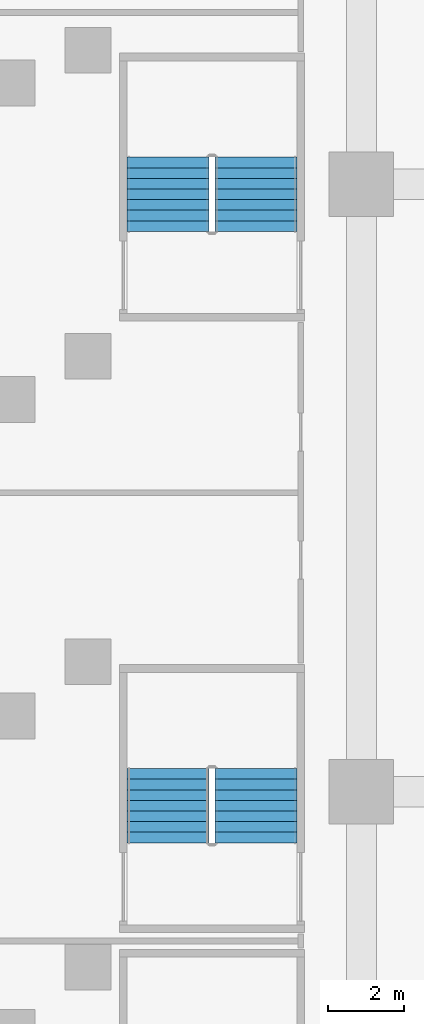
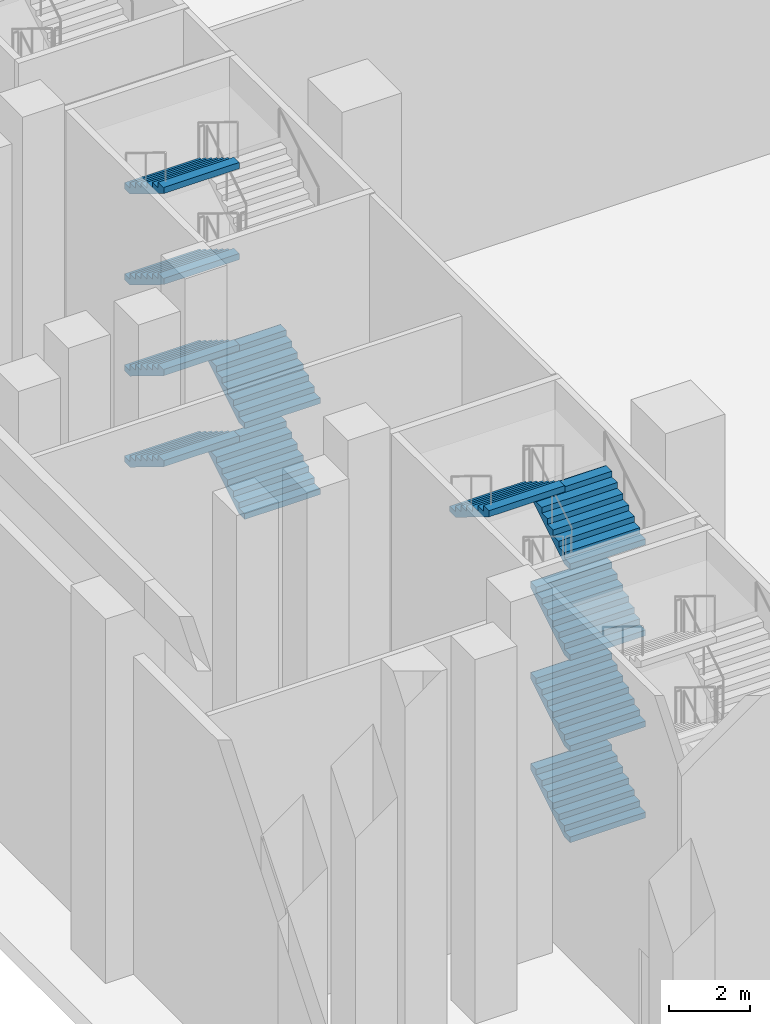
# One storey, part 14 of 31: 11 stair flights, 2 elements without a shape of their own.
"""IFC4 building model written with IfcOpenShell, lengths in metres."""

from ifc_helpers import new_model, si_unit, direction, frame, origin, place, context, subcontext, project, spatial, faceted_brep, source, transform, mapped, material, type_object, element, aggregate, save


model = new_model("IFC4")

# Units and contexts
model_context = context("Model", 3, precision=1e-05, world=origin(), true_north=direction((0.0, 1.0)))
body_context = subcontext(model_context, "Body", "Model", "MODEL_VIEW")
ifc_project = project(units=[si_unit("LENGTHUNIT", "METRE"), si_unit("AREAUNIT", "SQUARE_METRE"), si_unit("VOLUMEUNIT", "CUBIC_METRE"), si_unit("PLANEANGLEUNIT", "RADIAN"), si_unit("MASSUNIT", "GRAM", prefix="KILO")], contexts=[model_context])

# Site, building, storey
site_placement = place(None, origin())
site = spatial("IfcSite", under=ifc_project, at=site_placement, CompositionType="ELEMENT")
building_placement = place(site_placement, origin())
building = spatial("IfcBuilding", under=site, at=building_placement, Name="Calabash Gate Tower", CompositionType="ELEMENT")
storey_placement = place(building_placement, frame((0.0, 0.0, 9.0)))
storey = spatial("IfcBuildingStorey", under=building, at=storey_placement, Name="L01", CompositionType="ELEMENT", Elevation=9.0)

# Stair, stair flights
ifc_material_1 = material(Name="Concrete C40/50", Category="concrete")
stair_type = type_object("IfcStairType", Name="Public stair 64 risers of 171.9 mm", PredefinedType="HALF_TURN_STAIR", material=ifc_material_1)
stair_1_placement = place(storey_placement, origin())
stair_1 = element("IfcStair", 1, at=stair_1_placement, inside=storey, type_object=stair_type, Name="L01 Public Stair PS2", PredefinedType="HALF_TURN_STAIR")
ifc_material_2 = material(Name="Concrete C40/50", Category="concrete")
stair_flight_type = type_object("IfcStairFlightType", Name="Exit stair flight SFL", PredefinedType="STRAIGHT", material=ifc_material_2)
shared_shape = source(origin(), body_context, "Body", "Brep", [
    faceted_brep([(-0.0009765625, -1.080078125, 0.0), (0.285888671875, -1.080078125, 0.0), (1.9541015625, -1.080078125, 1.027099609375), (-0.0009765625, 1.080078125, 0.0), (1.9541015625, 1.080078125, 1.027099609375), (0.285888671875, 1.080078125, 0.0), (1.9541015625, -1.080078125, 1.215087890625), (1.952880859375, -1.080078125, 1.215087890625), (1.952880859375, 1.080078125, 1.215087890625), (1.9541015625, 1.080078125, 1.215087890625), (1.952880859375, -1.080078125, 1.203125), (1.952880859375, 1.080078125, 1.203125), (1.674072265625, -1.080078125, 1.203125), (1.674072265625, 1.080078125, 1.203125), (1.674072265625, -1.080078125, 1.03125), (1.674072265625, 1.080078125, 1.03125), (1.39501953125, -1.080078125, 1.03125), (1.39501953125, 1.080078125, 1.03125), (1.39501953125, -1.080078125, 0.859375), (1.39501953125, 1.080078125, 0.859375), (1.115966796875, -1.080078125, 0.859375), (1.115966796875, -1.080078125, 0.6875), (1.115966796875, 1.080078125, 0.6875), (1.115966796875, 1.080078125, 0.859375), (0.8369140625, -1.080078125, 0.6875), (0.8369140625, -1.080078125, 0.515625), (0.8369140625, 1.080078125, 0.515625), (0.8369140625, 1.080078125, 0.6875), (0.55810546875, -1.080078125, 0.515625), (0.55810546875, -1.080078125, 0.34375), (0.55810546875, 1.080078125, 0.34375), (0.55810546875, 1.080078125, 0.515625), (0.279052734375, -1.080078125, 0.34375), (0.279052734375, -1.080078125, 0.171875), (0.279052734375, 1.080078125, 0.171875), (0.279052734375, 1.080078125, 0.34375), (-0.0009765625, -1.080078125, 0.171875), (-0.0009765625, 1.080078125, 0.171875), (0.285888671875, -0.431884765625, 0.0), (1.9541015625, -0.431884765625, 1.027099609375), (0.285888671875, -0.370361328125, 0.0), (1.9541015625, -0.370361328125, 1.027099609375), (0.285888671875, -0.30859375, 0.0), (1.9541015625, -0.30859375, 1.027099609375), (0.285888671875, -0.246826171875, 0.0), (1.9541015625, -0.246826171875, 1.027099609375), (0.285888671875, -0.18505859375, 0.0), (1.9541015625, -0.18505859375, 1.027099609375), (0.285888671875, -0.12353515625, 0.0), (1.9541015625, -0.12353515625, 1.027099609375), (0.285888671875, -0.061767578125, 0.0), (1.9541015625, -0.061767578125, 1.027099609375), (0.285888671875, 0.0, 0.0), (1.9541015625, 0.0, 1.027099609375), (0.285888671875, 0.061767578125, 0.0), (1.9541015625, 0.061767578125, 1.027099609375), (0.285888671875, 0.12353515625, 0.0), (1.9541015625, 0.12353515625, 1.027099609375), (0.285888671875, 0.18505859375, 0.0), (1.9541015625, 0.18505859375, 1.027099609375), (0.285888671875, 0.246826171875, 0.0), (1.9541015625, 0.246826171875, 1.027099609375), (0.285888671875, 0.30859375, 0.0), (1.9541015625, 0.30859375, 1.027099609375), (0.285888671875, 0.370361328125, 0.0), (1.9541015625, 0.370361328125, 1.027099609375), (0.285888671875, 0.431884765625, 0.0), (1.9541015625, 0.431884765625, 1.027099609375), (1.9541015625, -0.431884765625, 1.215087890625), (1.9541015625, -0.370361328125, 1.215087890625), (1.9541015625, -0.30859375, 1.215087890625), (1.9541015625, -0.246826171875, 1.215087890625), (1.9541015625, -0.18505859375, 1.215087890625), (1.9541015625, -0.12353515625, 1.215087890625), (1.9541015625, -0.061767578125, 1.215087890625), (1.9541015625, 0.0, 1.215087890625), (1.9541015625, 0.061767578125, 1.215087890625), (1.9541015625, 0.12353515625, 1.215087890625), (1.9541015625, 0.18505859375, 1.215087890625), (1.9541015625, 0.246826171875, 1.215087890625), (1.9541015625, 0.30859375, 1.215087890625), (1.9541015625, 0.370361328125, 1.215087890625), (1.9541015625, 0.431884765625, 1.215087890625), (1.952880859375, -0.431884765625, 1.215087890625), (1.952880859375, -0.370361328125, 1.215087890625), (1.952880859375, -0.30859375, 1.215087890625), (1.952880859375, -0.246826171875, 1.215087890625), (1.952880859375, -0.18505859375, 1.215087890625), (1.952880859375, -0.12353515625, 1.215087890625), (1.952880859375, -0.061767578125, 1.215087890625), (1.952880859375, 0.0, 1.215087890625), (1.952880859375, 0.061767578125, 1.215087890625), (1.952880859375, 0.12353515625, 1.215087890625), (1.952880859375, 0.18505859375, 1.215087890625), (1.952880859375, 0.246826171875, 1.215087890625), (1.952880859375, 0.30859375, 1.215087890625), (1.952880859375, 0.370361328125, 1.215087890625), (1.952880859375, 0.431884765625, 1.215087890625), (1.952880859375, -0.431884765625, 1.203125), (1.952880859375, -0.370361328125, 1.203125), (1.952880859375, -0.30859375, 1.203125), (1.952880859375, -0.246826171875, 1.203125), (1.952880859375, -0.18505859375, 1.203125), (1.952880859375, -0.12353515625, 1.203125), (1.952880859375, -0.061767578125, 1.203125), (1.952880859375, 0.0, 1.203125), (1.952880859375, 0.061767578125, 1.203125), (1.952880859375, 0.12353515625, 1.203125), (1.952880859375, 0.18505859375, 1.203125), (1.952880859375, 0.246826171875, 1.203125), (1.952880859375, 0.30859375, 1.203125), (1.952880859375, 0.370361328125, 1.203125), (1.952880859375, 0.431884765625, 1.203125), (1.674072265625, -0.431884765625, 1.203125), (1.674072265625, -0.370361328125, 1.203125), (1.674072265625, -0.30859375, 1.203125), (1.674072265625, -0.246826171875, 1.203125), (1.674072265625, -0.18505859375, 1.203125), (1.674072265625, -0.12353515625, 1.203125), (1.674072265625, -0.061767578125, 1.203125), (1.674072265625, 0.0, 1.203125), (1.674072265625, 0.061767578125, 1.203125), (1.674072265625, 0.12353515625, 1.203125), (1.674072265625, 0.18505859375, 1.203125), (1.674072265625, 0.246826171875, 1.203125), (1.674072265625, 0.30859375, 1.203125), (1.674072265625, 0.370361328125, 1.203125), (1.674072265625, 0.431884765625, 1.203125), (1.674072265625, -0.431884765625, 1.03125), (1.674072265625, -0.370361328125, 1.03125), (1.674072265625, -0.30859375, 1.03125), (1.674072265625, -0.246826171875, 1.03125), (1.674072265625, -0.18505859375, 1.03125), (1.674072265625, -0.12353515625, 1.03125), (1.674072265625, -0.061767578125, 1.03125), (1.674072265625, 0.0, 1.03125), (1.674072265625, 0.061767578125, 1.03125), (1.674072265625, 0.12353515625, 1.03125), (1.674072265625, 0.18505859375, 1.03125), (1.674072265625, 0.246826171875, 1.03125), (1.674072265625, 0.30859375, 1.03125), (1.674072265625, 0.370361328125, 1.03125), (1.674072265625, 0.431884765625, 1.03125), (1.39501953125, -0.431884765625, 1.03125), (1.39501953125, -0.370361328125, 1.03125), (1.39501953125, -0.30859375, 1.03125), (1.39501953125, -0.246826171875, 1.03125), (1.39501953125, -0.18505859375, 1.03125), (1.39501953125, -0.12353515625, 1.03125), (1.39501953125, -0.061767578125, 1.03125), (1.39501953125, 0.0, 1.03125), (1.39501953125, 0.061767578125, 1.03125), (1.39501953125, 0.12353515625, 1.03125), (1.39501953125, 0.18505859375, 1.03125), (1.39501953125, 0.246826171875, 1.03125), (1.39501953125, 0.30859375, 1.03125), (1.39501953125, 0.370361328125, 1.03125), (1.39501953125, 0.431884765625, 1.03125), (1.39501953125, -0.431884765625, 0.859375), (1.39501953125, -0.370361328125, 0.859375), (1.39501953125, -0.30859375, 0.859375), (1.39501953125, -0.246826171875, 0.859375), (1.39501953125, -0.18505859375, 0.859375), (1.39501953125, -0.12353515625, 0.859375), (1.39501953125, -0.061767578125, 0.859375), (1.39501953125, 0.0, 0.859375), (1.39501953125, 0.061767578125, 0.859375), (1.39501953125, 0.12353515625, 0.859375), (1.39501953125, 0.18505859375, 0.859375), (1.39501953125, 0.246826171875, 0.859375), (1.39501953125, 0.30859375, 0.859375), (1.39501953125, 0.370361328125, 0.859375), (1.39501953125, 0.431884765625, 0.859375), (1.115966796875, -0.431884765625, 0.859375), (1.115966796875, -0.370361328125, 0.859375), (1.115966796875, -0.30859375, 0.859375), (1.115966796875, -0.246826171875, 0.859375), (1.115966796875, -0.18505859375, 0.859375), (1.115966796875, -0.12353515625, 0.859375), (1.115966796875, -0.061767578125, 0.859375), (1.115966796875, 0.0, 0.859375), (1.115966796875, 0.061767578125, 0.859375), (1.115966796875, 0.12353515625, 0.859375), (1.115966796875, 0.18505859375, 0.859375), (1.115966796875, 0.246826171875, 0.859375), (1.115966796875, 0.30859375, 0.859375), (1.115966796875, 0.370361328125, 0.859375), (1.115966796875, 0.431884765625, 0.859375), (1.115966796875, -0.431884765625, 0.6875), (1.115966796875, -0.370361328125, 0.6875), (1.115966796875, -0.30859375, 0.6875), (1.115966796875, -0.246826171875, 0.6875), (1.115966796875, -0.18505859375, 0.6875), (1.115966796875, -0.12353515625, 0.6875), (1.115966796875, -0.061767578125, 0.6875), (1.115966796875, 0.0, 0.6875), (1.115966796875, 0.061767578125, 0.6875), (1.115966796875, 0.12353515625, 0.6875), (1.115966796875, 0.18505859375, 0.6875), (1.115966796875, 0.246826171875, 0.6875), (1.115966796875, 0.30859375, 0.6875), (1.115966796875, 0.370361328125, 0.6875), (1.115966796875, 0.431884765625, 0.6875), (0.8369140625, -0.431884765625, 0.6875), (0.8369140625, -0.370361328125, 0.6875), (0.8369140625, -0.30859375, 0.6875), (0.8369140625, -0.246826171875, 0.6875), (0.8369140625, -0.18505859375, 0.6875), (0.8369140625, -0.12353515625, 0.6875), (0.8369140625, -0.061767578125, 0.6875), (0.8369140625, 0.0, 0.6875), (0.8369140625, 0.061767578125, 0.6875), (0.8369140625, 0.12353515625, 0.6875), (0.8369140625, 0.18505859375, 0.6875), (0.8369140625, 0.246826171875, 0.6875), (0.8369140625, 0.30859375, 0.6875), (0.8369140625, 0.370361328125, 0.6875), (0.8369140625, 0.431884765625, 0.6875), (0.8369140625, -0.431884765625, 0.515625), (0.8369140625, -0.370361328125, 0.515625), (0.8369140625, -0.30859375, 0.515625), (0.8369140625, -0.246826171875, 0.515625), (0.8369140625, -0.18505859375, 0.515625), (0.8369140625, -0.12353515625, 0.515625), (0.8369140625, -0.061767578125, 0.515625), (0.8369140625, 0.0, 0.515625), (0.8369140625, 0.061767578125, 0.515625), (0.8369140625, 0.12353515625, 0.515625), (0.8369140625, 0.18505859375, 0.515625), (0.8369140625, 0.246826171875, 0.515625), (0.8369140625, 0.30859375, 0.515625), (0.8369140625, 0.370361328125, 0.515625), (0.8369140625, 0.431884765625, 0.515625), (0.55810546875, -0.431884765625, 0.515625), (0.55810546875, -0.370361328125, 0.515625), (0.55810546875, -0.30859375, 0.515625), (0.55810546875, -0.246826171875, 0.515625), (0.55810546875, -0.18505859375, 0.515625), (0.55810546875, -0.12353515625, 0.515625), (0.55810546875, -0.061767578125, 0.515625), (0.55810546875, 0.0, 0.515625), (0.55810546875, 0.061767578125, 0.515625), (0.55810546875, 0.12353515625, 0.515625), (0.55810546875, 0.18505859375, 0.515625), (0.55810546875, 0.246826171875, 0.515625), (0.55810546875, 0.30859375, 0.515625), (0.55810546875, 0.370361328125, 0.515625), (0.55810546875, 0.431884765625, 0.515625), (0.55810546875, -0.431884765625, 0.34375), (0.55810546875, -0.370361328125, 0.34375), (0.55810546875, -0.30859375, 0.34375), (0.55810546875, -0.246826171875, 0.34375), (0.55810546875, -0.18505859375, 0.34375), (0.55810546875, -0.12353515625, 0.34375), (0.55810546875, -0.061767578125, 0.34375), (0.55810546875, 0.0, 0.34375), (0.55810546875, 0.061767578125, 0.34375), (0.55810546875, 0.12353515625, 0.34375), (0.55810546875, 0.18505859375, 0.34375), (0.55810546875, 0.246826171875, 0.34375), (0.55810546875, 0.30859375, 0.34375), (0.55810546875, 0.370361328125, 0.34375), (0.55810546875, 0.431884765625, 0.34375), (0.279052734375, -0.431884765625, 0.34375), (0.279052734375, -0.370361328125, 0.34375), (0.279052734375, -0.30859375, 0.34375), (0.279052734375, -0.246826171875, 0.34375), (0.279052734375, -0.18505859375, 0.34375), (0.279052734375, -0.12353515625, 0.34375), (0.279052734375, -0.061767578125, 0.34375), (0.279052734375, 0.0, 0.34375), (0.279052734375, 0.061767578125, 0.34375), (0.279052734375, 0.12353515625, 0.34375), (0.279052734375, 0.18505859375, 0.34375), (0.279052734375, 0.246826171875, 0.34375), (0.279052734375, 0.30859375, 0.34375), (0.279052734375, 0.370361328125, 0.34375), (0.279052734375, 0.431884765625, 0.34375), (0.279052734375, -0.431884765625, 0.171875), (0.279052734375, -0.370361328125, 0.171875), (0.279052734375, -0.30859375, 0.171875), (0.279052734375, -0.246826171875, 0.171875), (0.279052734375, -0.18505859375, 0.171875), (0.279052734375, -0.12353515625, 0.171875), (0.279052734375, -0.061767578125, 0.171875), (0.279052734375, 0.0, 0.171875), (0.279052734375, 0.061767578125, 0.171875), (0.279052734375, 0.12353515625, 0.171875), (0.279052734375, 0.18505859375, 0.171875), (0.279052734375, 0.246826171875, 0.171875), (0.279052734375, 0.30859375, 0.171875), (0.279052734375, 0.370361328125, 0.171875), (0.279052734375, 0.431884765625, 0.171875), (-0.0009765625, -0.431884765625, 0.171875), (-0.0009765625, -0.370361328125, 0.171875), (-0.0009765625, -0.30859375, 0.171875), (-0.0009765625, -0.246826171875, 0.171875), (-0.0009765625, -0.18505859375, 0.171875), (-0.0009765625, -0.12353515625, 0.171875), (-0.0009765625, -0.061767578125, 0.171875), (-0.0009765625, 0.0, 0.171875), (-0.0009765625, 0.061767578125, 0.171875), (-0.0009765625, 0.12353515625, 0.171875), (-0.0009765625, 0.18505859375, 0.171875), (-0.0009765625, 0.246826171875, 0.171875), (-0.0009765625, 0.30859375, 0.171875), (-0.0009765625, 0.370361328125, 0.171875), (-0.0009765625, 0.431884765625, 0.171875), (-0.0009765625, -0.431884765625, 0.0), (-0.0009765625, -0.370361328125, 0.0), (-0.0009765625, -0.30859375, 0.0), (-0.0009765625, -0.246826171875, 0.0), (-0.0009765625, -0.18505859375, 0.0), (-0.0009765625, -0.12353515625, 0.0), (-0.0009765625, -0.061767578125, 0.0), (-0.0009765625, 0.0, 0.0), (-0.0009765625, 0.061767578125, 0.0), (-0.0009765625, 0.12353515625, 0.0), (-0.0009765625, 0.18505859375, 0.0), (-0.0009765625, 0.246826171875, 0.0), (-0.0009765625, 0.30859375, 0.0), (-0.0009765625, 0.370361328125, 0.0), (-0.0009765625, 0.431884765625, 0.0)], [[[0, 1, 2]], [[3, 4, 5]], [[2, 6, 7]], [[4, 8, 9]], [[2, 7, 10]], [[4, 11, 8]], [[2, 10, 12]], [[4, 13, 11]], [[2, 12, 14]], [[4, 15, 13]], [[2, 14, 16]], [[4, 17, 15]], [[2, 16, 18]], [[4, 19, 17]], [[18, 20, 21]], [[19, 22, 23]], [[2, 18, 21]], [[4, 22, 19]], [[21, 24, 25]], [[22, 26, 27]], [[2, 21, 25]], [[4, 26, 22]], [[25, 28, 29]], [[26, 30, 31]], [[2, 25, 29]], [[4, 30, 26]], [[29, 32, 33]], [[30, 34, 35]], [[2, 29, 33]], [[4, 34, 30]], [[0, 2, 33]], [[3, 34, 4]], [[33, 36, 0]], [[34, 3, 37]], [[1, 38, 2]], [[38, 39, 2]], [[38, 40, 39]], [[40, 41, 39]], [[40, 42, 41]], [[42, 43, 41]], [[42, 44, 43]], [[44, 45, 43]], [[44, 46, 45]], [[46, 47, 45]], [[46, 48, 47]], [[48, 49, 47]], [[48, 50, 49]], [[50, 51, 49]], [[50, 52, 51]], [[52, 53, 51]], [[52, 54, 55]], [[52, 55, 53]], [[54, 56, 57]], [[54, 57, 55]], [[56, 58, 59]], [[56, 59, 57]], [[58, 60, 61]], [[58, 61, 59]], [[60, 62, 63]], [[60, 63, 61]], [[62, 64, 65]], [[62, 65, 63]], [[64, 66, 67]], [[64, 67, 65]], [[66, 5, 4]], [[66, 4, 67]], [[2, 39, 6]], [[39, 68, 6]], [[39, 41, 68]], [[41, 69, 68]], [[41, 43, 69]], [[43, 70, 69]], [[43, 45, 70]], [[45, 71, 70]], [[45, 47, 71]], [[47, 72, 71]], [[47, 49, 72]], [[49, 73, 72]], [[49, 51, 73]], [[51, 74, 73]], [[51, 53, 74]], [[53, 75, 74]], [[53, 55, 76]], [[53, 76, 75]], [[55, 57, 77]], [[55, 77, 76]], [[57, 59, 78]], [[57, 78, 77]], [[59, 61, 79]], [[59, 79, 78]], [[61, 63, 80]], [[61, 80, 79]], [[63, 65, 81]], [[63, 81, 80]], [[65, 67, 82]], [[65, 82, 81]], [[67, 4, 9]], [[67, 9, 82]], [[6, 68, 7]], [[68, 83, 7]], [[68, 69, 83]], [[69, 84, 83]], [[69, 70, 84]], [[70, 85, 84]], [[70, 71, 85]], [[71, 86, 85]], [[71, 72, 86]], [[72, 87, 86]], [[72, 73, 87]], [[73, 88, 87]], [[73, 74, 88]], [[74, 89, 88]], [[74, 75, 89]], [[75, 90, 89]], [[75, 76, 91]], [[75, 91, 90]], [[76, 77, 92]], [[76, 92, 91]], [[77, 78, 93]], [[77, 93, 92]], [[78, 79, 94]], [[78, 94, 93]], [[79, 80, 95]], [[79, 95, 94]], [[80, 81, 96]], [[80, 96, 95]], [[81, 82, 97]], [[81, 97, 96]], [[82, 9, 8]], [[82, 8, 97]], [[7, 83, 10]], [[83, 98, 10]], [[83, 84, 98]], [[84, 99, 98]], [[84, 85, 99]], [[85, 100, 99]], [[85, 86, 100]], [[86, 101, 100]], [[86, 87, 101]], [[87, 102, 101]], [[87, 88, 102]], [[88, 103, 102]], [[88, 89, 103]], [[89, 104, 103]], [[89, 90, 104]], [[90, 105, 104]], [[90, 91, 106]], [[90, 106, 105]], [[91, 92, 107]], [[91, 107, 106]], [[92, 93, 108]], [[92, 108, 107]], [[93, 94, 109]], [[93, 109, 108]], [[94, 95, 110]], [[94, 110, 109]], [[95, 96, 111]], [[95, 111, 110]], [[96, 97, 112]], [[96, 112, 111]], [[97, 8, 11]], [[97, 11, 112]], [[10, 98, 12]], [[98, 113, 12]], [[98, 99, 113]], [[99, 114, 113]], [[99, 100, 114]], [[100, 115, 114]], [[100, 101, 115]], [[101, 116, 115]], [[101, 102, 116]], [[102, 117, 116]], [[102, 103, 117]], [[103, 118, 117]], [[103, 104, 118]], [[104, 119, 118]], [[104, 105, 119]], [[105, 120, 119]], [[105, 106, 121]], [[105, 121, 120]], [[106, 107, 122]], [[106, 122, 121]], [[107, 108, 123]], [[107, 123, 122]], [[108, 109, 124]], [[108, 124, 123]], [[109, 110, 125]], [[109, 125, 124]], [[110, 111, 126]], [[110, 126, 125]], [[111, 112, 127]], [[111, 127, 126]], [[112, 11, 13]], [[112, 13, 127]], [[12, 113, 14]], [[113, 128, 14]], [[113, 114, 128]], [[114, 129, 128]], [[114, 115, 129]], [[115, 130, 129]], [[115, 116, 130]], [[116, 131, 130]], [[116, 117, 131]], [[117, 132, 131]], [[117, 118, 132]], [[118, 133, 132]], [[118, 119, 133]], [[119, 134, 133]], [[119, 120, 134]], [[120, 135, 134]], [[120, 121, 136]], [[120, 136, 135]], [[121, 122, 137]], [[121, 137, 136]], [[122, 123, 138]], [[122, 138, 137]], [[123, 124, 139]], [[123, 139, 138]], [[124, 125, 140]], [[124, 140, 139]], [[125, 126, 141]], [[125, 141, 140]], [[126, 127, 142]], [[126, 142, 141]], [[127, 13, 15]], [[127, 15, 142]], [[14, 128, 16]], [[128, 143, 16]], [[128, 129, 143]], [[129, 144, 143]], [[129, 130, 144]], [[130, 145, 144]], [[130, 131, 145]], [[131, 146, 145]], [[131, 132, 146]], [[132, 147, 146]], [[132, 133, 147]], [[133, 148, 147]], [[133, 134, 148]], [[134, 149, 148]], [[134, 135, 149]], [[135, 150, 149]], [[135, 136, 151]], [[135, 151, 150]], [[136, 137, 152]], [[136, 152, 151]], [[137, 138, 153]], [[137, 153, 152]], [[138, 139, 154]], [[138, 154, 153]], [[139, 140, 155]], [[139, 155, 154]], [[140, 141, 156]], [[140, 156, 155]], [[141, 142, 157]], [[141, 157, 156]], [[142, 15, 17]], [[142, 17, 157]], [[16, 143, 18]], [[143, 158, 18]], [[143, 144, 158]], [[144, 159, 158]], [[144, 145, 159]], [[145, 160, 159]], [[145, 146, 160]], [[146, 161, 160]], [[146, 147, 161]], [[147, 162, 161]], [[147, 148, 162]], [[148, 163, 162]], [[148, 149, 163]], [[149, 164, 163]], [[149, 150, 164]], [[150, 165, 164]], [[150, 151, 166]], [[150, 166, 165]], [[151, 152, 167]], [[151, 167, 166]], [[152, 153, 168]], [[152, 168, 167]], [[153, 154, 169]], [[153, 169, 168]], [[154, 155, 170]], [[154, 170, 169]], [[155, 156, 171]], [[155, 171, 170]], [[156, 157, 172]], [[156, 172, 171]], [[157, 17, 19]], [[157, 19, 172]], [[18, 158, 20]], [[158, 173, 20]], [[158, 159, 173]], [[159, 174, 173]], [[159, 160, 174]], [[160, 175, 174]], [[160, 161, 175]], [[161, 176, 175]], [[161, 162, 176]], [[162, 177, 176]], [[162, 163, 177]], [[163, 178, 177]], [[163, 164, 178]], [[164, 179, 178]], [[164, 165, 179]], [[165, 180, 179]], [[165, 166, 181]], [[165, 181, 180]], [[166, 167, 182]], [[166, 182, 181]], [[167, 168, 183]], [[167, 183, 182]], [[168, 169, 184]], [[168, 184, 183]], [[169, 170, 185]], [[169, 185, 184]], [[170, 171, 186]], [[170, 186, 185]], [[171, 172, 187]], [[171, 187, 186]], [[172, 19, 23]], [[172, 23, 187]], [[20, 173, 21]], [[173, 188, 21]], [[173, 174, 188]], [[174, 189, 188]], [[174, 175, 189]], [[175, 190, 189]], [[175, 176, 190]], [[176, 191, 190]], [[176, 177, 191]], [[177, 192, 191]], [[177, 178, 192]], [[178, 193, 192]], [[178, 179, 193]], [[179, 194, 193]], [[179, 180, 194]], [[180, 195, 194]], [[180, 181, 196]], [[180, 196, 195]], [[181, 182, 197]], [[181, 197, 196]], [[182, 183, 198]], [[182, 198, 197]], [[183, 184, 199]], [[183, 199, 198]], [[184, 185, 200]], [[184, 200, 199]], [[185, 186, 201]], [[185, 201, 200]], [[186, 187, 202]], [[186, 202, 201]], [[187, 23, 22]], [[187, 22, 202]], [[21, 188, 24]], [[188, 203, 24]], [[188, 189, 203]], [[189, 204, 203]], [[189, 190, 204]], [[190, 205, 204]], [[190, 191, 205]], [[191, 206, 205]], [[191, 192, 206]], [[192, 207, 206]], [[192, 193, 207]], [[193, 208, 207]], [[193, 194, 208]], [[194, 209, 208]], [[194, 195, 209]], [[195, 210, 209]], [[195, 196, 211]], [[195, 211, 210]], [[196, 197, 212]], [[196, 212, 211]], [[197, 198, 213]], [[197, 213, 212]], [[198, 199, 214]], [[198, 214, 213]], [[199, 200, 215]], [[199, 215, 214]], [[200, 201, 216]], [[200, 216, 215]], [[201, 202, 217]], [[201, 217, 216]], [[202, 22, 27]], [[202, 27, 217]], [[24, 203, 25]], [[203, 218, 25]], [[203, 204, 218]], [[204, 219, 218]], [[204, 205, 219]], [[205, 220, 219]], [[205, 206, 220]], [[206, 221, 220]], [[206, 207, 221]], [[207, 222, 221]], [[207, 208, 222]], [[208, 223, 222]], [[208, 209, 223]], [[209, 224, 223]], [[209, 210, 224]], [[210, 225, 224]], [[210, 211, 226]], [[210, 226, 225]], [[211, 212, 227]], [[211, 227, 226]], [[212, 213, 228]], [[212, 228, 227]], [[213, 214, 229]], [[213, 229, 228]], [[214, 215, 230]], [[214, 230, 229]], [[215, 216, 231]], [[215, 231, 230]], [[216, 217, 232]], [[216, 232, 231]], [[217, 27, 26]], [[217, 26, 232]], [[25, 218, 28]], [[218, 233, 28]], [[218, 219, 233]], [[219, 234, 233]], [[219, 220, 234]], [[220, 235, 234]], [[220, 221, 235]], [[221, 236, 235]], [[221, 222, 236]], [[222, 237, 236]], [[222, 223, 237]], [[223, 238, 237]], [[223, 224, 238]], [[224, 239, 238]], [[224, 225, 239]], [[225, 240, 239]], [[225, 226, 241]], [[225, 241, 240]], [[226, 227, 242]], [[226, 242, 241]], [[227, 228, 243]], [[227, 243, 242]], [[228, 229, 244]], [[228, 244, 243]], [[229, 230, 245]], [[229, 245, 244]], [[230, 231, 246]], [[230, 246, 245]], [[231, 232, 247]], [[231, 247, 246]], [[232, 26, 31]], [[232, 31, 247]], [[28, 233, 29]], [[233, 248, 29]], [[233, 234, 248]], [[234, 249, 248]], [[234, 235, 249]], [[235, 250, 249]], [[235, 236, 250]], [[236, 251, 250]], [[236, 237, 251]], [[237, 252, 251]], [[237, 238, 252]], [[238, 253, 252]], [[238, 239, 253]], [[239, 254, 253]], [[239, 240, 254]], [[240, 255, 254]], [[240, 241, 256]], [[240, 256, 255]], [[241, 242, 257]], [[241, 257, 256]], [[242, 243, 258]], [[242, 258, 257]], [[243, 244, 259]], [[243, 259, 258]], [[244, 245, 260]], [[244, 260, 259]], [[245, 246, 261]], [[245, 261, 260]], [[246, 247, 262]], [[246, 262, 261]], [[247, 31, 30]], [[247, 30, 262]], [[29, 248, 32]], [[248, 263, 32]], [[248, 249, 263]], [[249, 264, 263]], [[249, 250, 264]], [[250, 265, 264]], [[250, 251, 265]], [[251, 266, 265]], [[251, 252, 266]], [[252, 267, 266]], [[252, 253, 267]], [[253, 268, 267]], [[253, 254, 268]], [[254, 269, 268]], [[254, 255, 269]], [[255, 270, 269]], [[255, 256, 271]], [[255, 271, 270]], [[256, 257, 272]], [[256, 272, 271]], [[257, 258, 273]], [[257, 273, 272]], [[258, 259, 274]], [[258, 274, 273]], [[259, 260, 275]], [[259, 275, 274]], [[260, 261, 276]], [[260, 276, 275]], [[261, 262, 277]], [[261, 277, 276]], [[262, 30, 35]], [[262, 35, 277]], [[32, 263, 33]], [[263, 278, 33]], [[263, 264, 278]], [[264, 279, 278]], [[264, 265, 279]], [[265, 280, 279]], [[265, 266, 280]], [[266, 281, 280]], [[266, 267, 281]], [[267, 282, 281]], [[267, 268, 282]], [[268, 283, 282]], [[268, 269, 283]], [[269, 284, 283]], [[269, 270, 284]], [[270, 285, 284]], [[270, 271, 286]], [[270, 286, 285]], [[271, 272, 287]], [[271, 287, 286]], [[272, 273, 288]], [[272, 288, 287]], [[273, 274, 289]], [[273, 289, 288]], [[274, 275, 290]], [[274, 290, 289]], [[275, 276, 291]], [[275, 291, 290]], [[276, 277, 292]], [[276, 292, 291]], [[277, 35, 34]], [[277, 34, 292]], [[33, 278, 36]], [[278, 293, 36]], [[278, 279, 293]], [[279, 294, 293]], [[279, 280, 294]], [[280, 295, 294]], [[280, 281, 295]], [[281, 296, 295]], [[281, 282, 296]], [[282, 297, 296]], [[282, 283, 297]], [[283, 298, 297]], [[283, 284, 298]], [[284, 299, 298]], [[284, 285, 299]], [[285, 300, 299]], [[285, 286, 301]], [[285, 301, 300]], [[286, 287, 302]], [[286, 302, 301]], [[287, 288, 303]], [[287, 303, 302]], [[288, 289, 304]], [[288, 304, 303]], [[289, 290, 305]], [[289, 305, 304]], [[290, 291, 306]], [[290, 306, 305]], [[291, 292, 307]], [[291, 307, 306]], [[292, 34, 37]], [[292, 37, 307]], [[36, 293, 0]], [[293, 308, 0]], [[293, 294, 308]], [[294, 309, 308]], [[294, 295, 309]], [[295, 310, 309]], [[295, 296, 310]], [[296, 311, 310]], [[296, 297, 311]], [[297, 312, 311]], [[297, 298, 312]], [[298, 313, 312]], [[298, 299, 313]], [[299, 314, 313]], [[299, 300, 314]], [[300, 315, 314]], [[300, 301, 316]], [[300, 316, 315]], [[301, 302, 317]], [[301, 317, 316]], [[302, 303, 318]], [[302, 318, 317]], [[303, 304, 319]], [[303, 319, 318]], [[304, 305, 320]], [[304, 320, 319]], [[305, 306, 321]], [[305, 321, 320]], [[306, 307, 322]], [[306, 322, 321]], [[307, 37, 3]], [[307, 3, 322]], [[0, 308, 1]], [[308, 38, 1]], [[308, 309, 38]], [[309, 40, 38]], [[309, 310, 40]], [[310, 42, 40]], [[310, 311, 42]], [[311, 44, 42]], [[311, 312, 44]], [[312, 46, 44]], [[312, 313, 46]], [[313, 48, 46]], [[313, 314, 48]], [[314, 50, 48]], [[314, 315, 50]], [[315, 52, 50]], [[315, 316, 54]], [[315, 54, 52]], [[316, 317, 56]], [[316, 56, 54]], [[317, 318, 58]], [[317, 58, 56]], [[318, 319, 60]], [[318, 60, 58]], [[319, 320, 62]], [[319, 62, 60]], [[320, 321, 64]], [[320, 64, 62]], [[321, 322, 66]], [[321, 66, 64]], [[322, 3, 5]], [[322, 5, 66]]]),
])
stair_flight_1_placement = place(storey_placement, frame((-34.780029296875, -25.340087890625, 0.0), z_axis=(0.0, 0.0, 1.0), x_axis=(0.0, 1.0, 0.0)))
stair_flight_1 = element("IfcStairFlight", 2, at=stair_flight_1_placement, type_object=stair_flight_type, Name="PS2 flight 1", NumberOfRisers=8, NumberOfTreads=7, PredefinedType="STRAIGHT", RiserHeight=0.171875, TreadLength=0.279, context=body_context, shape_type="MappedRepresentation", body=[
    mapped(shared_shape, transform((0.0, 0.0, 0.0), scale=1.0)),
])
stair_flight_2_placement = place(storey_placement, frame((-34.780029296875, -25.340087890625, 2.75), z_axis=(0.0, 0.0, 1.0), x_axis=(0.0, 1.0, 0.0)))
stair_flight_2 = element("IfcStairFlight", 3, at=stair_flight_2_placement, type_object=stair_flight_type, Name="PS2 flight 3", NumberOfRisers=8, NumberOfTreads=7, PredefinedType="STRAIGHT", RiserHeight=0.171875, TreadLength=0.279, context=body_context, shape_type="MappedRepresentation", body=[
    mapped(shared_shape, transform((0.0, 0.0, 0.0), scale=1.0)),
])
stair_flight_3_placement = place(storey_placement, frame((-34.780029296875, -25.340087890625, 5.5), z_axis=(0.0, 0.0, 1.0), x_axis=(0.0, 1.0, 0.0)))
stair_flight_3 = element("IfcStairFlight", 4, at=stair_flight_3_placement, type_object=stair_flight_type, Name="PS2 flight 5", NumberOfRisers=8, NumberOfTreads=7, PredefinedType="STRAIGHT", RiserHeight=0.171875, TreadLength=0.279, context=body_context, shape_type="MappedRepresentation", body=[
    mapped(shared_shape, transform((0.0, 0.0, 0.0), scale=1.0)),
])
stair_flight_4_placement = place(storey_placement, frame((-34.780029296875, -25.340087890625, 8.25), z_axis=(0.0, 0.0, 1.0), x_axis=(0.0, 1.0, 0.0)))
stair_flight_4 = element("IfcStairFlight", 5, at=stair_flight_4_placement, type_object=stair_flight_type, Name="PS2 flight 7", NumberOfRisers=8, NumberOfTreads=7, PredefinedType="STRAIGHT", RiserHeight=0.171875, TreadLength=0.279, context=body_context, shape_type="MappedRepresentation", body=[
    mapped(shared_shape, transform((0.0, 0.0, 0.0), scale=1.0)),
])
stair_flight_5_placement = place(storey_placement, frame((-37.090087890625, -23.386962890625, 9.625), z_axis=(0.0, 0.0, 1.0), x_axis=(0.0, -1.0, 0.0)))
stair_flight_5 = element("IfcStairFlight", 6, at=stair_flight_5_placement, type_object=stair_flight_type, Name="PS2 flight 8", NumberOfRisers=8, NumberOfTreads=7, PredefinedType="STRAIGHT", RiserHeight=0.171875, TreadLength=0.279, context=body_context, shape_type="MappedRepresentation", body=[
    mapped(shared_shape, transform((0.0, 0.0, 0.0), scale=1.0)),
])
aggregate(stair_1, [stair_flight_1, stair_flight_2, stair_flight_3, stair_flight_4, stair_flight_5])

stair_2_placement = place(storey_placement, origin())
stair_2 = element("IfcStair", 7, at=stair_2_placement, inside=storey, type_object=stair_type, Name="L01 Public Stair PS3", PredefinedType="HALF_TURN_STAIR")
stair_flight_6_placement = place(storey_placement, frame((-34.780029296875, -9.239990234375, 0.0), z_axis=(0.0, 0.0, 1.0), x_axis=(0.0, 1.0, 0.0)))
stair_flight_6 = element("IfcStairFlight", 8, at=stair_flight_6_placement, type_object=stair_flight_type, Name="PS3 flight 1", NumberOfRisers=8, NumberOfTreads=7, PredefinedType="STRAIGHT", RiserHeight=0.171875, TreadLength=0.279, context=body_context, shape_type="MappedRepresentation", body=[
    mapped(shared_shape, transform((0.0, 0.0, 0.0), scale=1.0)),
])
stair_flight_7_placement = place(storey_placement, frame((-37.090087890625, -7.287109375, 1.375), z_axis=(0.0, 0.0, 1.0), x_axis=(0.0, -1.0, 0.0)))
stair_flight_7 = element("IfcStairFlight", 9, at=stair_flight_7_placement, type_object=stair_flight_type, Name="PS3 flight 2", NumberOfRisers=8, NumberOfTreads=7, PredefinedType="STRAIGHT", RiserHeight=0.171875, TreadLength=0.279, context=body_context, shape_type="MappedRepresentation", body=[
    mapped(shared_shape, transform((0.0, 0.0, 0.0), scale=1.0)),
])
stair_flight_8_placement = place(storey_placement, frame((-34.780029296875, -9.239990234375, 2.75), z_axis=(0.0, 0.0, 1.0), x_axis=(0.0, 1.0, 0.0)))
stair_flight_8 = element("IfcStairFlight", 10, at=stair_flight_8_placement, type_object=stair_flight_type, Name="PS3 flight 3", NumberOfRisers=8, NumberOfTreads=7, PredefinedType="STRAIGHT", RiserHeight=0.171875, TreadLength=0.279, context=body_context, shape_type="MappedRepresentation", body=[
    mapped(shared_shape, transform((0.0, 0.0, 0.0), scale=1.0)),
])
stair_flight_9_placement = place(storey_placement, frame((-37.090087890625, -7.287109375, 4.125), z_axis=(0.0, 0.0, 1.0), x_axis=(0.0, -1.0, 0.0)))
stair_flight_9 = element("IfcStairFlight", 11, at=stair_flight_9_placement, type_object=stair_flight_type, Name="PS3 flight 4", NumberOfRisers=8, NumberOfTreads=7, PredefinedType="STRAIGHT", RiserHeight=0.171875, TreadLength=0.279, context=body_context, shape_type="MappedRepresentation", body=[
    mapped(shared_shape, transform((0.0, 0.0, 0.0), scale=1.0)),
])
stair_flight_10_placement = place(storey_placement, frame((-37.090087890625, -7.287109375, 6.875), z_axis=(0.0, 0.0, 1.0), x_axis=(0.0, -1.0, 0.0)))
stair_flight_10 = element("IfcStairFlight", 12, at=stair_flight_10_placement, type_object=stair_flight_type, Name="PS3 flight 6", NumberOfRisers=8, NumberOfTreads=7, PredefinedType="STRAIGHT", RiserHeight=0.171875, TreadLength=0.279, context=body_context, shape_type="MappedRepresentation", body=[
    mapped(shared_shape, transform((0.0, 0.0, 0.0), scale=1.0)),
])
stair_flight_11_placement = place(storey_placement, frame((-37.090087890625, -7.287109375, 9.625), z_axis=(0.0, 0.0, 1.0), x_axis=(0.0, -1.0, 0.0)))
stair_flight_11 = element("IfcStairFlight", 13, at=stair_flight_11_placement, type_object=stair_flight_type, Name="PS3 flight 8", NumberOfRisers=8, NumberOfTreads=7, PredefinedType="STRAIGHT", RiserHeight=0.171875, TreadLength=0.279, context=body_context, shape_type="MappedRepresentation", body=[
    mapped(shared_shape, transform((0.0, 0.0, 0.0), scale=1.0)),
])
aggregate(stair_2, [stair_flight_6, stair_flight_7, stair_flight_8, stair_flight_9, stair_flight_10, stair_flight_11])

save(model, "model.ifc")
